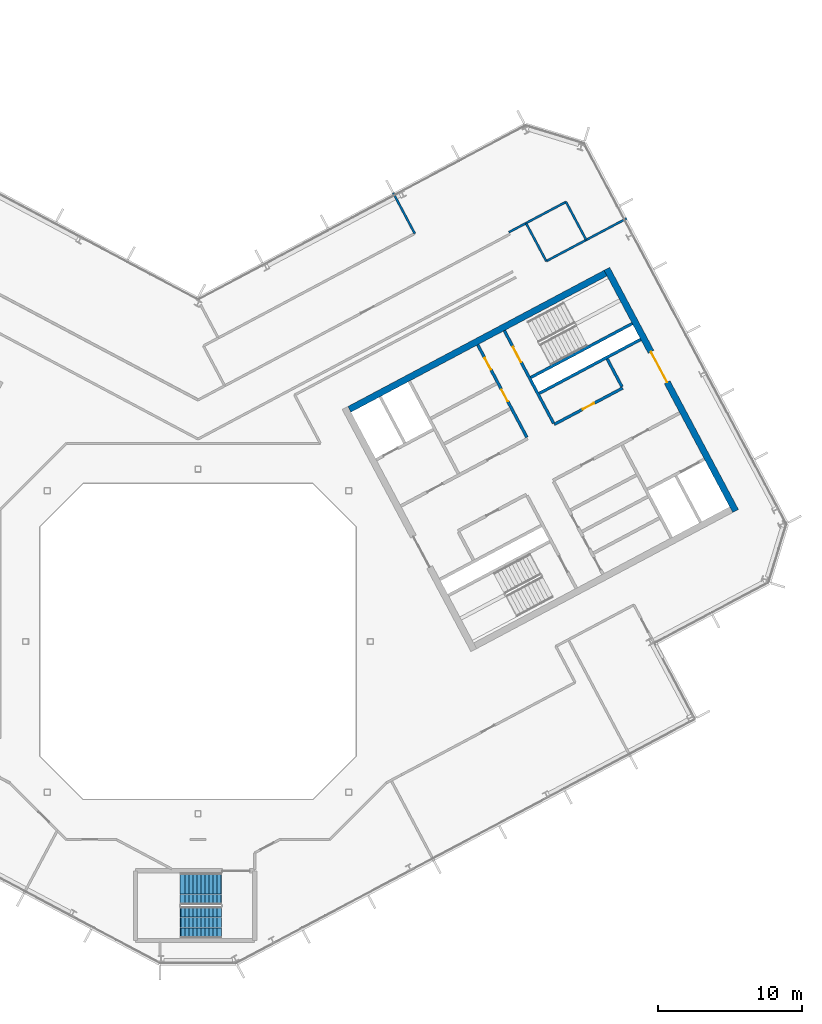
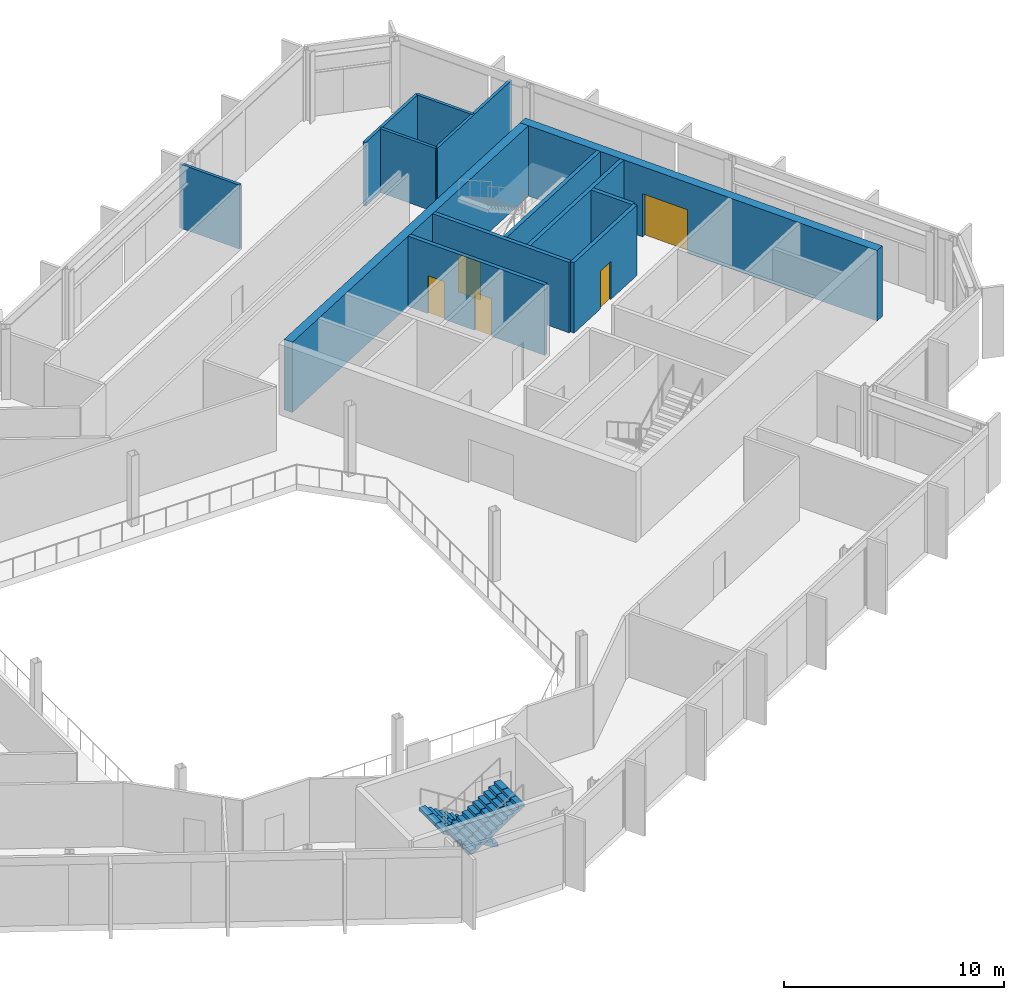
# One storey, part 17 of 26: 13 walls, 5 doors, 2 stair flights, 5 openings, 1 element without a shape of its own.
"""IFC4 building model written with IfcOpenShell, lengths in metres."""

from ifc_helpers import new_model, si_unit, direction, frame, frame_2d, origin, place, context, subcontext, project, spatial, polyline, rectangle, outline, extrude, material, layer, layer_set, type_object, element, fill, aggregate, save


model = new_model("IFC4")

# Units and contexts
model_context = context("Model", 3, precision=1e-05, world=origin(), true_north=direction((0.0, 1.0)))
body_context = subcontext(model_context, "Body", "Model", "MODEL_VIEW")
ifc_project = project(units=[si_unit("LENGTHUNIT", "METRE"), si_unit("AREAUNIT", "SQUARE_METRE"), si_unit("VOLUMEUNIT", "CUBIC_METRE"), si_unit("PLANEANGLEUNIT", "RADIAN"), si_unit("MASSUNIT", "GRAM", prefix="KILO")], contexts=[model_context])

# Site, building, storey
site_placement = place(None, origin())
site = spatial("IfcSite", under=ifc_project, at=site_placement, CompositionType="ELEMENT")
building_placement = place(site_placement, origin())
building = spatial("IfcBuilding", under=site, at=building_placement, Name="Cormorant Relay Tower", CompositionType="ELEMENT")
storey_placement = place(building_placement, frame((0.0, 0.0, 293.10009765625)))
storey = spatial("IfcBuildingStorey", under=building, at=storey_placement, Name="L66", CompositionType="ELEMENT", Elevation=293.10009765625)

# Wall, openings, doors
ifc_material_1 = material(Name="Concrete 50 MPa", Category="concrete")
ifc_layer_1 = layer(ifc_material_1, 0.199951171875)
ifc_layer_set_1 = layer_set([ifc_layer_1], Name="Core shaft wall 200")
wall_type_1 = type_object("IfcWallType", Name="Core shaft wall 200", PredefinedType="SHEAR", material=ifc_layer_set_1)
wall_1_placement = place(storey_placement, frame((22.90625, 14.218017578125, 0.0), z_axis=(0.0, 0.0, 1.0), x_axis=(-0.469480409012, 0.88294288918, 0.0)))
wall_1 = element("IfcWall", 1, at=wall_1_placement, inside=storey, type_object=wall_type_1, Name="L66 core B shaft wall", PredefinedType="SHEAR", context=body_context, shape_type="SweptSolid", body=[
    extrude(rectangle(XDim=7.300048828125, YDim=0.199951171875, at=frame_2d((3.64990234375, 0.0))), origin(), (0.0, 0.0, 1.0), 3.89990234375),
])
opening_1_placement = place(wall_1_placement, frame((2.85009765625, 0.0, 0.0)))
opening_1 = element("IfcOpeningElement", 2, at=opening_1_placement, cuts=wall_1, Name="Opening CDD-299", PredefinedType="OPENING", context=body_context, shape_type="SweptSolid", body=[
    extrude(rectangle(XDim=0.89990234375, YDim=2.10009765625, at=frame_2d((0.449951171875, 1.050048828125))), frame((0.0, 0.10986328125, 0.0), z_axis=(0.0, -1.0, 0.0), x_axis=(1.0, 0.0, 0.0)), (0.0, 0.0, 1.0), 0.219970703125),
])
opening_2_placement = place(wall_1_placement, frame((5.35009765625, 0.0, 0.0)))
opening_2 = element("IfcOpeningElement", 3, at=opening_2_placement, cuts=wall_1, Name="Opening CDD-333", PredefinedType="OPENING", context=body_context, shape_type="SweptSolid", body=[
    extrude(rectangle(XDim=0.89990234375, YDim=2.10009765625, at=frame_2d((0.449951171875, 1.050048828125))), frame((0.0, 0.10986328125, 0.0), z_axis=(0.0, -1.0, 0.0), x_axis=(1.0, 0.0, 0.0)), (0.0, 0.0, 1.0), 0.219970703125),
])
ifc_material_2 = material(Name="Steel fire door", Category="steel")
door_type_1 = type_object("IfcDoorType", Name="Core room door 900x2100", OperationType="SINGLE_SWING_LEFT", PredefinedType="DOOR", material=ifc_material_2)
door_1_placement = place(opening_1_placement, origin())
door_1 = element("IfcDoor", 4, at=door_1_placement, inside=storey, type_object=door_type_1, Name="Core room door 900x2100", OperationType="SINGLE_SWING_RIGHT", OverallHeight=2.10009765625, OverallWidth=0.89990234375, PredefinedType="DOOR", context=body_context, shape_type="SweptSolid", body=[
    extrude(rectangle(XDim=0.89990234375, YDim=2.10009765625, at=frame_2d((0.449951171875, 1.050048828125))), frame((0.0, 0.02490234375, 0.0), z_axis=(0.0, -1.0, 0.0), x_axis=(1.0, 0.0, 0.0)), (0.0, 0.0, 1.0), 0.050048828125),
])
fill(opening_1, door_1)
door_2_placement = place(opening_2_placement, origin())
door_2 = element("IfcDoor", 5, at=door_2_placement, inside=storey, type_object=door_type_1, Name="Core room door 900x2100", OperationType="SINGLE_SWING_LEFT", OverallHeight=2.10009765625, OverallWidth=0.89990234375, PredefinedType="DOOR", context=body_context, shape_type="SweptSolid", body=[
    extrude(rectangle(XDim=0.89990234375, YDim=2.10009765625, at=frame_2d((0.449951171875, 1.050048828125))), frame((0.0, 0.02490234375, 0.0), z_axis=(0.0, -1.0, 0.0), x_axis=(1.0, 0.0, 0.0)), (0.0, 0.0, 1.0), 0.050048828125),
])
fill(opening_2, door_2)

# Wall, opening, door
wall_2_placement = place(storey_placement, frame((24.760498046875, 15.2041015625, 0.0), z_axis=(0.0, 0.0, 1.0), x_axis=(-0.469494272526, 0.882935517501, 0.0)))
wall_2 = element("IfcWall", 6, at=wall_2_placement, inside=storey, type_object=wall_type_1, Name="L66 core B shaft wall", PredefinedType="SHEAR", context=body_context, shape_type="SweptSolid", body=[
    extrude(rectangle(XDim=7.2998046875, YDim=0.199951171875, at=frame_2d((3.64990234375, 0.0))), origin(), (0.0, 0.0, 1.0), 3.89990234375),
])
opening_3_placement = place(wall_2_placement, frame((4.800048828125, 0.0, 0.0)))
opening_3 = element("IfcOpeningElement", 7, at=opening_3_placement, cuts=wall_2, Name="Opening CDB-041", PredefinedType="OPENING", context=body_context, shape_type="SweptSolid", body=[
    extrude(rectangle(XDim=1.199951171875, YDim=2.10009765625, at=frame_2d((0.60009765625, 1.050048828125))), frame((0.0, 0.10986328125, 0.0), z_axis=(0.0, -1.0, 0.0), x_axis=(1.0, 0.0, 0.0)), (0.0, 0.0, 1.0), 0.219970703125),
])
ifc_material_3 = material(Name="Steel fire door", Category="steel")
door_type_2 = type_object("IfcDoorType", Name="Core stair door 1200x2100", OperationType="SINGLE_SWING_LEFT", PredefinedType="DOOR", material=ifc_material_3)
door_3_placement = place(opening_3_placement, frame((1.199951171875, 0.0, 0.0), z_axis=(0.0, 0.0, 1.0), x_axis=(-1.0, 0.0, 0.0)))
door_3 = element("IfcDoor", 8, at=door_3_placement, inside=storey, type_object=door_type_2, Name="Core stair door 1200x2100", OperationType="SINGLE_SWING_RIGHT", OverallHeight=2.10009765625, OverallWidth=1.199951171875, PredefinedType="DOOR", context=body_context, shape_type="SweptSolid", body=[
    extrude(rectangle(XDim=1.199951171875, YDim=2.10009765625, at=frame_2d((0.60009765625, 1.050048828125))), frame((0.0, 0.02490234375, 0.0), z_axis=(0.0, -1.0, 0.0), x_axis=(1.0, 0.0, 0.0)), (0.0, 0.0, 1.0), 0.050048828125),
])
fill(opening_3, door_3)

# Wall
wall_3_placement = place(storey_placement, frame((29.5283203125, 17.739013671875, 0.0), z_axis=(0.0, 0.0, 1.0), x_axis=(-0.469401318492, 0.882984938828, 0.0)))
element("IfcWall", 9, at=wall_3_placement, inside=storey, type_object=wall_type_1, Name="L66 core B shaft wall", PredefinedType="SHEAR", context=body_context, shape_type="SweptSolid", body=[
    extrude(rectangle(XDim=2.199951171875, YDim=0.199951171875, at=frame_2d((1.10009765625, 0.0))), origin(), (0.0, 0.0, 1.0), 3.89990234375),
])

# Wall, opening, door
wall_4_placement = place(storey_placement, frame((24.807373046875, 15.11572265625, 0.0), z_axis=(0.0, 0.0, 1.0), x_axis=(0.882942972946, 0.469480251476, 0.0)))
wall_4 = element("IfcWall", 10, at=wall_4_placement, inside=storey, type_object=wall_type_1, Name="L66 core B shaft wall", PredefinedType="SHEAR", context=body_context, shape_type="SweptSolid", body=[
    extrude(rectangle(XDim=5.39990234375, YDim=0.199951171875, at=frame_2d((2.699951171875, 0.0))), origin(), (0.0, 0.0, 1.0), 3.89990234375),
])
opening_4_placement = place(wall_4_placement, frame((2.25, 0.0, 0.0)))
opening_4 = element("IfcOpeningElement", 11, at=opening_4_placement, cuts=wall_4, Name="Opening CDD-261", PredefinedType="OPENING", context=body_context, shape_type="SweptSolid", body=[
    extrude(rectangle(XDim=0.89990234375, YDim=2.10009765625, at=frame_2d((0.449951171875, 1.050048828125))), frame((0.0, 0.10986328125, 0.0), z_axis=(0.0, -1.0, 0.0), x_axis=(1.0, 0.0, 0.0)), (0.0, 0.0, 1.0), 0.219970703125),
])
door_4_placement = place(opening_4_placement, origin())
door_4 = element("IfcDoor", 12, at=door_4_placement, inside=storey, type_object=door_type_1, Name="Core room door 900x2100", OperationType="SINGLE_SWING_LEFT", OverallHeight=2.10009765625, OverallWidth=0.89990234375, PredefinedType="DOOR", context=body_context, shape_type="SweptSolid", body=[
    extrude(rectangle(XDim=0.89990234375, YDim=2.10009765625, at=frame_2d((0.449951171875, 1.050048828125))), frame((0.0, 0.02490234375, 0.0), z_axis=(0.0, -1.0, 0.0), x_axis=(1.0, 0.0, 0.0)), (0.0, 0.0, 1.0), 0.050048828125),
])
fill(opening_4, door_4)

# Walls
wall_5_placement = place(storey_placement, frame((23.76904296875, 17.28173828125, 0.0), z_axis=(0.0, 0.0, 1.0), x_axis=(0.882940221191, 0.469485426614, 0.0)))
element("IfcWall", 13, at=wall_5_placement, inside=storey, type_object=wall_type_1, Name="L66 core B shaft wall", PredefinedType="SHEAR", context=body_context, shape_type="SweptSolid", body=[
    extrude(rectangle(XDim=8.0, YDim=0.199951171875, at=frame_2d((4.0, 0.0))), origin(), (0.0, 0.0, 1.0), 3.89990234375),
])
wall_6_placement = place(storey_placement, frame((23.18212890625, 18.385498046875, 0.0), z_axis=(0.0, 0.0, 1.0), x_axis=(0.88295287151, 0.469461634952, 0.0)))
element("IfcWall", 14, at=wall_6_placement, inside=storey, type_object=wall_type_1, Name="L66 core B shaft wall", PredefinedType="SHEAR", context=body_context, shape_type="SweptSolid", body=[
    extrude(rectangle(XDim=7.999755859375, YDim=0.199951171875, at=frame_2d((4.0, 0.0))), origin(), (0.0, 0.0, 1.0), 3.89990234375),
])

# Wall, opening, door
ifc_material_4 = material(Name="Concrete 50 MPa", Category="concrete")
ifc_layer_2 = layer(ifc_material_4, 0.449951171875)
ifc_layer_set_2 = layer_set([ifc_layer_2], Name="Core wall 450")
wall_type_2 = type_object("IfcWallType", Name="Core wall 450", PredefinedType="SHEAR", material=ifc_layer_set_2)
wall_7_placement = place(storey_placement, frame((37.439453125, 9.0908203125, 0.0), z_axis=(0.0, 0.0, 1.0), x_axis=(-0.469467968382, 0.882949504028, 0.0)))
wall_7 = element("IfcWall", 15, at=wall_7_placement, inside=storey, type_object=wall_type_2, Name="L66 core B wall", PredefinedType="SHEAR", context=body_context, shape_type="SweptSolid", body=[
    extrude(rectangle(XDim=19.099853515625, YDim=0.449951171875, at=frame_2d((9.5498046875, 0.0))), origin(), (0.0, 0.0, 1.0), 3.89990234375),
])
opening_5_placement = place(wall_7_placement, frame((10.14990234375, 0.0, 0.0)))
opening_5 = element("IfcOpeningElement", 16, at=opening_5_placement, cuts=wall_7, Name="Opening CDA-053", PredefinedType="OPENING", context=body_context, shape_type="SweptSolid", body=[
    extrude(rectangle(XDim=2.39990234375, YDim=2.39990234375, at=frame_2d((1.199951171875, 1.199951171875))), frame((0.0, 0.23486328125, 0.0), z_axis=(0.0, -1.0, 0.0), x_axis=(1.0, 0.0, 0.0)), (0.0, 0.0, 1.0), 0.469970703125),
])
ifc_material_5 = material(Name="Steel fire door", Category="steel")
door_type_3 = type_object("IfcDoorType", Name="Core lobby door 2400x2400", OperationType="DOUBLE_DOOR_SINGLE_SWING", PredefinedType="DOOR", material=ifc_material_5)
door_5_placement = place(opening_5_placement, origin())
door_5 = element("IfcDoor", 17, at=door_5_placement, inside=storey, type_object=door_type_3, Name="Core lobby door 2400x2400", OperationType="DOUBLE_DOOR_SINGLE_SWING", OverallHeight=2.39990234375, OverallWidth=2.39990234375, PredefinedType="DOOR", context=body_context, shape_type="SweptSolid", body=[
    extrude(rectangle(XDim=2.39990234375, YDim=2.39990234375, at=frame_2d((1.199951171875, 1.199951171875))), frame((0.0, 0.02490234375, 0.0), z_axis=(0.0, -1.0, 0.0), x_axis=(1.0, 0.0, 0.0)), (0.0, 0.0, 1.0), 0.050048828125),
])
fill(opening_5, door_5)

# Walls
wall_8_placement = place(storey_placement, frame((10.5439453125, 16.16748046875, 0.0), z_axis=(0.0, 0.0, 1.0), x_axis=(0.882947755831, 0.46947125628, 0.0)))
element("IfcWall", 18, at=wall_8_placement, inside=storey, type_object=wall_type_2, Name="L66 core B wall", PredefinedType="SHEAR", context=body_context, shape_type="SweptSolid", body=[
    extrude(rectangle(XDim=20.2001953125, YDim=0.449951171875, at=frame_2d((10.10009765625, 0.0))), origin(), (0.0, 0.0, 1.0), 3.89990234375),
])
ifc_material_6 = material(Name="Gypsum board fire partition")
ifc_layer_3 = layer(ifc_material_6, 0.14990234375)
ifc_layer_set_3 = layer_set([ifc_layer_3], Name="Corridor partition 150 EI 60")
wall_type_3 = type_object("IfcWallType", Name="Corridor partition 150 EI 60", PredefinedType="PARTITIONING", material=ifc_layer_set_3)
wall_9_placement = place(storey_placement, frame((22.85693359375, 29.114013671875, 0.0), z_axis=(0.0, 0.0, 1.0), x_axis=(0.469523155086, -0.882920158813, 0.0)))
element("IfcWall", 19, at=wall_9_placement, inside=storey, type_object=wall_type_3, Name="wall/L66/part/065", PredefinedType="PARTITIONING", context=body_context, shape_type="SweptSolid", body=[
    extrude(rectangle(XDim=2.975341796875, YDim=0.14990234375, at=frame_2d((1.48779296875, 0.0))), origin(), (0.0, 0.0, 1.0), 3.539794921875),
])
wall_10_placement = place(storey_placement, frame((24.25390625, 26.487060546875, 0.0), z_axis=(0.0, 0.0, 1.0), x_axis=(0.882975806835, 0.469418496167, 0.0)))
element("IfcWall", 20, at=wall_10_placement, inside=storey, type_object=wall_type_3, Name="wall/L66/part/066", PredefinedType="PARTITIONING", context=body_context, shape_type="SweptSolid", body=[
    extrude(rectangle(XDim=6.350341796875, YDim=0.14990234375, at=frame_2d((3.17529296875, 0.0))), origin(), (0.0, 0.0, 1.0), 3.539794921875),
])
ifc_material_7 = material(Name="Gypsum board partition")
ifc_layer_4 = layer(ifc_material_7, 0.14990234375)
ifc_layer_set_4 = layer_set([ifc_layer_4], Name="Tenant partition 150")
wall_type_4 = type_object("IfcWallType", Name="Tenant partition 150", PredefinedType="PARTITIONING", material=ifc_layer_set_4)
wall_11_placement = place(storey_placement, frame((15.094970703125, 28.412109375, 0.0), z_axis=(0.0, 0.0, 1.0), x_axis=(-0.469320691295, 0.883027796121, 0.0)))
element("IfcWall", 21, at=wall_11_placement, inside=storey, type_object=wall_type_4, Name="wall/L66/part/055", PredefinedType="PARTITIONING", context=body_context, shape_type="SweptSolid", body=[
    extrude(rectangle(XDim=3.2001953125, YDim=0.14990234375, at=frame_2d((1.60009765625, 0.0))), origin(), (0.0, 0.0, 1.0), 3.539794921875),
])
wall_12_placement = place(storey_placement, frame((27.034912109375, 27.966064453125, 0.0), z_axis=(0.0, 0.0, 1.0), x_axis=(-0.469341661158, 0.883016650523, 0.0)))
element("IfcWall", 22, at=wall_12_placement, inside=storey, type_object=wall_type_4, Name="wall/L66/part/067", PredefinedType="PARTITIONING", context=body_context, shape_type="SweptSolid", body=[
    extrude(rectangle(XDim=2.999755859375, YDim=0.14990234375, at=frame_2d((1.5, 0.0))), origin(), (0.0, 0.0, 1.0), 3.539794921875),
])
wall_13_placement = place(storey_placement, frame((25.626953125, 30.614990234375, 0.0), z_axis=(0.0, 0.0, 1.0), x_axis=(-0.882933661484, -0.469497762954, 0.0)))
element("IfcWall", 23, at=wall_13_placement, inside=storey, type_object=wall_type_4, Name="wall/L66/part/068", PredefinedType="PARTITIONING", context=body_context, shape_type="SweptSolid", body=[
    extrude(rectangle(XDim=4.49853515625, YDim=0.14990234375, at=frame_2d((2.249267578125, 0.0))), origin(), (0.0, 0.0, 1.0), 3.539794921875),
])

# Stair, stair flights
ifc_material_8 = material(Name="Concrete 40 MPa", Category="concrete")
stair_type = type_object("IfcStairType", Name="Remote exit stair 2200", PredefinedType="HALF_TURN_STAIR", material=ifc_material_8)
stair_placement = place(storey_placement, origin())
stair = element("IfcStair", 24, at=stair_placement, inside=storey, type_object=stair_type, Name="L66 Stair", PredefinedType="HALF_TURN_STAIR")
ifc_material_9 = material(Name="Concrete 40 MPa", Category="concrete")
stair_flight_type = type_object("IfcStairFlightType", Name="Remote exit stair flight 2200", PredefinedType="STRAIGHT", material=ifc_material_9)
stair_flight_1_placement = place(storey_placement, frame((1.60009765625, -17.22509765625, 0.0), z_axis=(0.0, 0.0, 1.0), x_axis=(-1.0, 0.0, 0.0)))
stair_flight_1 = element("IfcStairFlight", 25, at=stair_flight_1_placement, type_object=stair_flight_type, Name="RK1 flight 1", NumberOfRisers=11, NumberOfTreads=10, PredefinedType="STRAIGHT", RiserHeight=0.177272727, TreadLength=0.28, context=body_context, shape_type="SweptSolid", body=[
    extrude(outline(polyline([(-0.050048828125, -0.080078125), (-0.050048828125, 0.0), (0.0, 0.0), (0.0, 0.17724609375), (0.280029296875, 0.17724609375), (0.280029296875, 0.3544921875), (0.56005859375, 0.3544921875), (0.56005859375, 0.53173828125), (0.840087890625, 0.53173828125), (0.840087890625, 0.708984375), (1.1201171875, 0.708984375), (1.1201171875, 0.886474609375), (1.39990234375, 0.886474609375), (1.39990234375, 1.063720703125), (1.679931640625, 1.063720703125), (1.679931640625, 1.240966796875), (1.9599609375, 1.240966796875), (1.9599609375, 1.418212890625), (2.239990234375, 1.418212890625), (2.239990234375, 1.595458984375), (2.52001953125, 1.595458984375), (2.52001953125, 1.772705078125), (2.800048828125, 1.772705078125), (2.85009765625, 1.772705078125), (2.85009765625, 1.59521484375), (2.800048828125, 1.59521484375), (0.2802734375, 0.0), (-0.050048828125, -0.080078125)])), frame((0.0, 1.10009765625, 0.0), z_axis=(0.0, -1.0, 0.0), x_axis=(1.0, 0.0, 0.0)), (0.0, 0.0, 1.0), 0.719970703125),
    extrude(outline(polyline([(-0.050048828125, -0.080078125), (-0.050048828125, 0.0), (0.0, 0.0), (0.0, 0.17724609375), (0.280029296875, 0.17724609375), (0.280029296875, 0.3544921875), (0.56005859375, 0.3544921875), (0.56005859375, 0.53173828125), (0.840087890625, 0.53173828125), (0.840087890625, 0.708984375), (1.1201171875, 0.708984375), (1.1201171875, 0.886474609375), (1.39990234375, 0.886474609375), (1.39990234375, 1.063720703125), (1.679931640625, 1.063720703125), (1.679931640625, 1.240966796875), (1.9599609375, 1.240966796875), (1.9599609375, 1.418212890625), (2.239990234375, 1.418212890625), (2.239990234375, 1.595458984375), (2.52001953125, 1.595458984375), (2.52001953125, 1.772705078125), (2.800048828125, 1.772705078125), (2.85009765625, 1.772705078125), (2.85009765625, 1.59521484375), (2.800048828125, 1.59521484375), (0.2802734375, 0.0), (-0.050048828125, -0.080078125)])), frame((0.0, 0.360107421875, 0.0), z_axis=(0.0, -1.0, 0.0), x_axis=(1.0, 0.0, 0.0)), (0.0, 0.0, 1.0), 0.719970703125),
    extrude(outline(polyline([(-0.050048828125, -0.080078125), (-0.050048828125, 0.0), (0.0, 0.0), (0.0, 0.17724609375), (0.280029296875, 0.17724609375), (0.280029296875, 0.3544921875), (0.56005859375, 0.3544921875), (0.56005859375, 0.53173828125), (0.840087890625, 0.53173828125), (0.840087890625, 0.708984375), (1.1201171875, 0.708984375), (1.1201171875, 0.886474609375), (1.39990234375, 0.886474609375), (1.39990234375, 1.063720703125), (1.679931640625, 1.063720703125), (1.679931640625, 1.240966796875), (1.9599609375, 1.240966796875), (1.9599609375, 1.418212890625), (2.239990234375, 1.418212890625), (2.239990234375, 1.595458984375), (2.52001953125, 1.595458984375), (2.52001953125, 1.772705078125), (2.800048828125, 1.772705078125), (2.85009765625, 1.772705078125), (2.85009765625, 1.59521484375), (2.800048828125, 1.59521484375), (0.2802734375, 0.0), (-0.050048828125, -0.080078125)])), frame((0.0, -0.3798828125, 0.0), z_axis=(0.0, -1.0, 0.0), x_axis=(1.0, 0.0, 0.0)), (0.0, 0.0, 1.0), 0.719970703125),
])
stair_flight_2_placement = place(storey_placement, frame((-1.199951171875, -19.574951171875, 1.949951171875), z_axis=(0.0, 0.0, 1.0), x_axis=(1.0, 0.0, 0.0)))
stair_flight_2 = element("IfcStairFlight", 26, at=stair_flight_2_placement, type_object=stair_flight_type, Name="RK1 flight 2", NumberOfRisers=11, NumberOfTreads=10, PredefinedType="STRAIGHT", RiserHeight=0.177272727, TreadLength=0.28, context=body_context, shape_type="SweptSolid", body=[
    extrude(outline(polyline([(-0.050048828125, -0.080078125), (-0.050048828125, 0.0), (0.0, 0.0), (0.0, 0.17724609375), (0.280029296875, 0.17724609375), (0.280029296875, 0.3544921875), (0.56005859375, 0.3544921875), (0.56005859375, 0.53173828125), (0.840087890625, 0.53173828125), (0.840087890625, 0.708984375), (1.1201171875, 0.708984375), (1.1201171875, 0.886474609375), (1.39990234375, 0.886474609375), (1.39990234375, 1.063720703125), (1.679931640625, 1.063720703125), (1.679931640625, 1.240966796875), (1.9599609375, 1.240966796875), (1.9599609375, 1.418212890625), (2.239990234375, 1.418212890625), (2.239990234375, 1.595458984375), (2.52001953125, 1.595458984375), (2.52001953125, 1.772705078125), (2.800048828125, 1.772705078125), (2.85009765625, 1.772705078125), (2.85009765625, 1.59521484375), (2.800048828125, 1.59521484375), (0.2802734375, 0.0), (-0.050048828125, -0.080078125)])), frame((0.0, 1.10009765625, 0.0), z_axis=(0.0, -1.0, 0.0), x_axis=(1.0, 0.0, 0.0)), (0.0, 0.0, 1.0), 0.719970703125),
    extrude(outline(polyline([(-0.050048828125, -0.080078125), (-0.050048828125, 0.0), (0.0, 0.0), (0.0, 0.17724609375), (0.280029296875, 0.17724609375), (0.280029296875, 0.3544921875), (0.56005859375, 0.3544921875), (0.56005859375, 0.53173828125), (0.840087890625, 0.53173828125), (0.840087890625, 0.708984375), (1.1201171875, 0.708984375), (1.1201171875, 0.886474609375), (1.39990234375, 0.886474609375), (1.39990234375, 1.063720703125), (1.679931640625, 1.063720703125), (1.679931640625, 1.240966796875), (1.9599609375, 1.240966796875), (1.9599609375, 1.418212890625), (2.239990234375, 1.418212890625), (2.239990234375, 1.595458984375), (2.52001953125, 1.595458984375), (2.52001953125, 1.772705078125), (2.800048828125, 1.772705078125), (2.85009765625, 1.772705078125), (2.85009765625, 1.59521484375), (2.800048828125, 1.59521484375), (0.2802734375, 0.0), (-0.050048828125, -0.080078125)])), frame((0.0, 0.360107421875, 0.0), z_axis=(0.0, -1.0, 0.0), x_axis=(1.0, 0.0, 0.0)), (0.0, 0.0, 1.0), 0.719970703125),
    extrude(outline(polyline([(-0.050048828125, -0.080078125), (-0.050048828125, 0.0), (0.0, 0.0), (0.0, 0.17724609375), (0.280029296875, 0.17724609375), (0.280029296875, 0.3544921875), (0.56005859375, 0.3544921875), (0.56005859375, 0.53173828125), (0.840087890625, 0.53173828125), (0.840087890625, 0.708984375), (1.1201171875, 0.708984375), (1.1201171875, 0.886474609375), (1.39990234375, 0.886474609375), (1.39990234375, 1.063720703125), (1.679931640625, 1.063720703125), (1.679931640625, 1.240966796875), (1.9599609375, 1.240966796875), (1.9599609375, 1.418212890625), (2.239990234375, 1.418212890625), (2.239990234375, 1.595458984375), (2.52001953125, 1.595458984375), (2.52001953125, 1.772705078125), (2.800048828125, 1.772705078125), (2.85009765625, 1.772705078125), (2.85009765625, 1.59521484375), (2.800048828125, 1.59521484375), (0.2802734375, 0.0), (-0.050048828125, -0.080078125)])), frame((0.0, -0.3798828125, 0.0), z_axis=(0.0, -1.0, 0.0), x_axis=(1.0, 0.0, 0.0)), (0.0, 0.0, 1.0), 0.719970703125),
])
aggregate(stair, [stair_flight_1, stair_flight_2])

save(model, "model.ifc")
